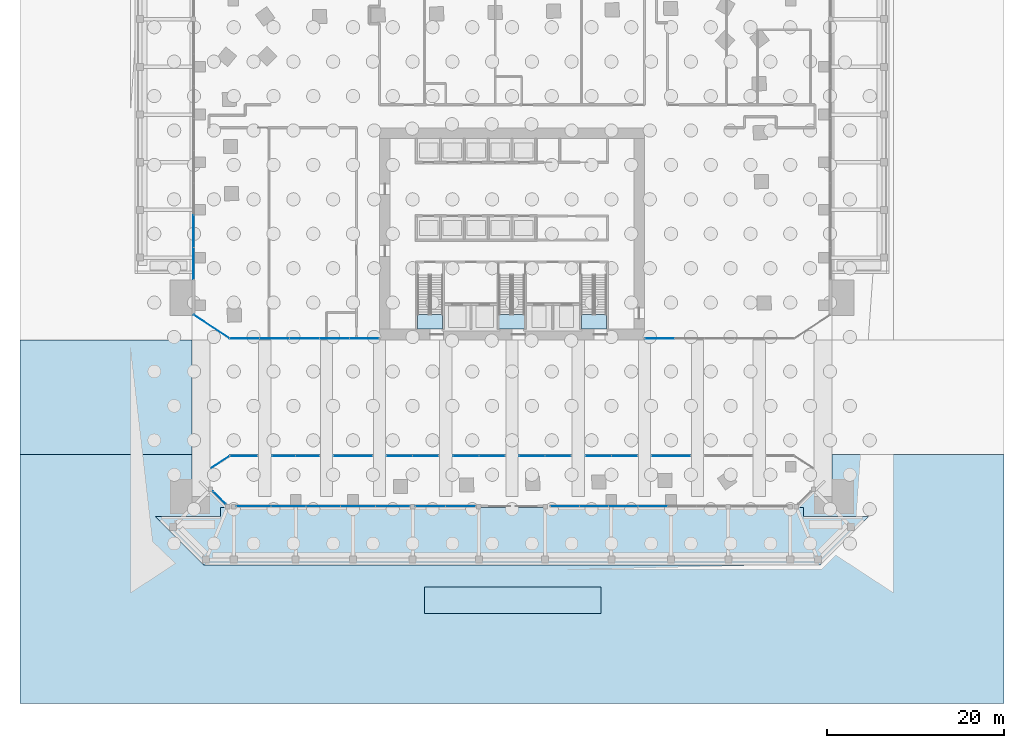
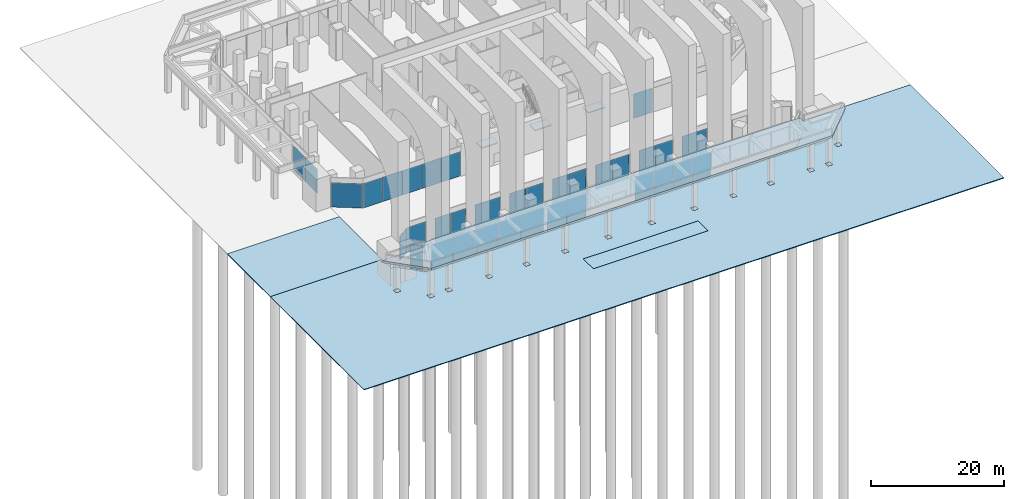
# One storey, part 35 of 46: 35 plates, 7 slabs, 20 elements without a shape of their own.
"""IFC4 building model written with IfcOpenShell, lengths in metres."""

from ifc_helpers import new_model, si_unit, direction, frame, origin, origin_2d, place, context, subcontext, project, spatial, polyline, rectangle, outline, extrude, material, layer, layer_set, type_object, element, aggregate, save


model = new_model("IFC4")

# Units and contexts
model_context = context("Model", 3, precision=1e-05, world=origin(), true_north=direction((0.0, 1.0)))
body_context = subcontext(model_context, "Body", "Model", "MODEL_VIEW")
ifc_project = project(units=[si_unit("LENGTHUNIT", "METRE"), si_unit("AREAUNIT", "SQUARE_METRE"), si_unit("VOLUMEUNIT", "CUBIC_METRE"), si_unit("PLANEANGLEUNIT", "RADIAN"), si_unit("MASSUNIT", "GRAM", prefix="KILO")], contexts=[model_context])

# Site, building, storey
site_placement = place(None, origin())
site = spatial("IfcSite", under=ifc_project, at=site_placement, CompositionType="ELEMENT")
building_placement = place(site_placement, origin())
building = spatial("IfcBuilding", under=site, at=building_placement, Name="Mangrove Gate Tower", CompositionType="ELEMENT")
storey_placement = place(building_placement, origin())
storey = spatial("IfcBuildingStorey", under=building, at=storey_placement, Name="L00", CompositionType="ELEMENT", Elevation=0.0)

# Slab
ifc_material_1 = material(Name="Concrete C40/50", Category="concrete")
ifc_layer_1 = layer(ifc_material_1, 0.419921875)
ifc_layer_set_1 = layer_set([ifc_layer_1], Name="Canopy slab 420 C40/50")
slab_type_1 = type_object("IfcSlabType", Name="Canopy slab 420 C40/50", PredefinedType="ROOF", material=ifc_layer_set_1)
slab_1_placement = place(storey_placement, frame((0.0, 0.0, 5.080078125)))
element("IfcSlab", 1, at=slab_1_placement, inside=storey, type_object=slab_type_1, Name="Canopy slab S", PredefinedType="ROOF", context=body_context, shape_type="SweptSolid", body=[
    extrude(outline(polyline([(33.0, -31.0), (-33.0, -31.0), (-33.0, -32.0), (-40.39208984375, -32.0), (-34.89208984375, -37.5), (34.89208984375, -37.5), (40.39208984375, -32.0), (33.0, -32.0), (33.0, -31.0)])), origin(), (0.0, 0.0, 1.0), 0.419921875),
])

# Stair, slab
ifc_material_2 = material(Name="Concrete C40/50", Category="concrete")
stair_type = type_object("IfcStairType", Name="Core stair 1350", PredefinedType="HALF_TURN_STAIR", material=ifc_material_2)
stair_1_placement = place(storey_placement, origin())
stair_1 = element("IfcStair", 2, at=stair_1_placement, inside=storey, type_object=stair_type, Name="L00 Stair 1", PredefinedType="HALF_TURN_STAIR")
ifc_material_3 = material(Name="Concrete C40/50", Category="concrete")
ifc_layer_2 = layer(ifc_material_3, 0.199951171875)
ifc_layer_set_2 = layer_set([ifc_layer_2], Name="Core stair landing 200")
slab_type_2 = type_object("IfcSlabType", Name="Core stair landing 200", PredefinedType="LANDING", material=ifc_layer_set_2)
slab_2_placement = place(storey_placement, frame((0.0, 0.0, 2.800048828125)))
slab_2 = element("IfcSlab", 3, at=slab_2_placement, type_object=slab_type_2, Name="ST1 landing 1", PredefinedType="LANDING", context=body_context, shape_type="SweptSolid", body=[
    extrude(outline(polyline([(-10.699951171875, -9.1298828125), (-10.699951171875, -10.800048828125), (-7.85009765625, -10.800048828125), (-7.85009765625, -9.1298828125), (-10.699951171875, -9.1298828125)])), origin(), (0.0, 0.0, 1.0), 0.199951171875),
])
aggregate(stair_1, [slab_2])

stair_2_placement = place(storey_placement, origin())
stair_2 = element("IfcStair", 4, at=stair_2_placement, inside=storey, type_object=stair_type, Name="L00 Stair 2", PredefinedType="HALF_TURN_STAIR")
slab_3_placement = place(storey_placement, frame((0.0, 0.0, 2.800048828125)))
slab_3 = element("IfcSlab", 5, at=slab_3_placement, type_object=slab_type_2, Name="ST2 landing 1", PredefinedType="LANDING", context=body_context, shape_type="SweptSolid", body=[
    extrude(outline(polyline([(-1.449951171875, -9.1298828125), (-1.449951171875, -10.800048828125), (1.39990234375, -10.800048828125), (1.39990234375, -9.1298828125), (-1.449951171875, -9.1298828125)])), origin(), (0.0, 0.0, 1.0), 0.199951171875),
])
aggregate(stair_2, [slab_3])

stair_3_placement = place(storey_placement, origin())
stair_3 = element("IfcStair", 6, at=stair_3_placement, inside=storey, type_object=stair_type, Name="L00 Stair 3", PredefinedType="HALF_TURN_STAIR")
slab_4_placement = place(storey_placement, frame((0.0, 0.0, 2.800048828125)))
slab_4 = element("IfcSlab", 7, at=slab_4_placement, type_object=slab_type_2, Name="ST3 landing 1", PredefinedType="LANDING", context=body_context, shape_type="SweptSolid", body=[
    extrude(outline(polyline([(7.85009765625, -9.1298828125), (7.85009765625, -10.800048828125), (10.699951171875, -10.800048828125), (10.699951171875, -9.1298828125), (7.85009765625, -9.1298828125)])), origin(), (0.0, 0.0, 1.0), 0.199951171875),
])
aggregate(stair_3, [slab_4])

# Slabs
ifc_material_4 = material(Name="Asphalt")
ifc_layer_3 = layer(ifc_material_4, 0.0400390625, Name="Wearing course")
ifc_material_5 = material(Name="Asphalt binder")
ifc_layer_4 = layer(ifc_material_5, 0.050048828125, Name="Binder course")
ifc_material_6 = material(Name="Compacted crushed stone", Category="masonry")
ifc_layer_5 = layer(ifc_material_6, 0.06005859375, Name="Sub-base")
ifc_layer_set_3 = layer_set([ifc_layer_3, ifc_layer_4, ifc_layer_5], Name="Drop-off lay-by paving 150")
slab_type_3 = type_object("IfcSlabType", Name="Drop-off lay-by paving 150", PredefinedType="USERDEFINED", material=ifc_layer_set_3)
slab_5_placement = place(storey_placement, frame((0.0, 0.0, -0.14990234375)))
element("IfcSlab", 8, at=slab_5_placement, inside=storey, type_object=slab_type_3, Name="DROP-OFF LAY-BY", ObjectType="DROP-OFF BAY", PredefinedType="USERDEFINED", context=body_context, shape_type="SweptSolid", body=[
    extrude(outline(polyline([(-9.89990234375, -43.0), (10.10009765625, -43.0), (10.10009765625, -40.0), (-9.89990234375, -40.0), (-9.89990234375, -43.0)])), origin(), (0.0, 0.0, 1.0), 0.14990234375),
])
ifc_material_7 = material(Name="Granite", Category="masonry")
ifc_layer_6 = layer(ifc_material_7, 0.06005859375, Name="Granite paving")
ifc_material_8 = material(Name="Bedding sand")
ifc_layer_7 = layer(ifc_material_8, 0.030029296875, Name="Bedding course")
ifc_layer_8 = layer(ifc_material_6, 0.06005859375, Name="Sub-base")
ifc_layer_set_4 = layer_set([ifc_layer_6, ifc_layer_7, ifc_layer_8], Name="Plaza paving 150 granite")
slab_type_4 = type_object("IfcSlabType", Name="Plaza paving 150 granite", PredefinedType="USERDEFINED", material=ifc_layer_set_4)
slab_6_placement = place(storey_placement, frame((0.0, 0.0, -0.14990234375)))
element("IfcSlab", 9, at=slab_6_placement, inside=storey, type_object=slab_type_4, Name="PLAZA PAVING 2", ObjectType="PAVING", PredefinedType="USERDEFINED", context=body_context, shape_type="SweptSolid", body=[
    extrude(outline(polyline([(-36.199951171875, -27.0), (-36.199951171875, -27.0), (-36.199951171875, -27.75), (-35.746826171875, -27.453125), (-32.199951171875, -31.0), (-32.199951171875, -31.0), (32.199951171875, -31.0), (32.199951171875, -31.0), (35.746826171875, -27.453125), (36.199951171875, -27.75), (36.199951171875, -27.0), (36.199951171875, -27.0), (36.199951171875, -25.0), (55.699951171875, -25.0), (55.699951171875, -53.200439453125), (-55.699951171875, -53.200439453125), (-55.699951171875, -25.0), (-36.199951171875, -25.0), (-36.199951171875, -27.0)]), holes=[polyline([(-34.22412109375, -36.47998046875), (-35.06396484375, -36.47998046875), (-35.06396484375, -37.320068359375), (-34.22412109375, -37.320068359375), (-34.22412109375, -36.47998046875)]), polyline([(-31.080078125, -36.47998046875), (-31.919921875, -36.47998046875), (-31.919921875, -37.320068359375), (-31.080078125, -37.320068359375), (-31.080078125, -36.47998046875)]), polyline([(-24.080078125, -36.47998046875), (-24.919921875, -36.47998046875), (-24.919921875, -37.320068359375), (-24.080078125, -37.320068359375), (-24.080078125, -36.47998046875)]), polyline([(-37.951904296875, -33.592041015625), (-37.951904296875, -32.751953125), (-38.7919921875, -32.751953125), (-38.7919921875, -33.592041015625), (-37.951904296875, -33.592041015625)]), polyline([(-17.580078125, -37.320068359375), (-17.580078125, -36.47998046875), (-18.419921875, -36.47998046875), (-18.419921875, -37.320068359375), (-17.580078125, -37.320068359375)]), polyline([(-10.830078125, -36.47998046875), (-11.669921875, -36.47998046875), (-11.669921875, -37.320068359375), (-10.830078125, -37.320068359375), (-10.830078125, -36.47998046875)]), polyline([(-3.330078125, -37.320068359375), (-3.330078125, -36.47998046875), (-4.169921875, -36.47998046875), (-4.169921875, -37.320068359375), (-3.330078125, -37.320068359375)]), polyline([(4.169921875, -37.320068359375), (4.169921875, -36.47998046875), (3.330078125, -36.47998046875), (3.330078125, -37.320068359375), (4.169921875, -37.320068359375)]), polyline([(11.669921875, -36.47998046875), (10.830078125, -36.47998046875), (10.830078125, -37.320068359375), (11.669921875, -37.320068359375), (11.669921875, -36.47998046875)]), polyline([(18.419921875, -37.320068359375), (18.419921875, -36.47998046875), (17.580078125, -36.47998046875), (17.580078125, -37.320068359375), (18.419921875, -37.320068359375)]), polyline([(24.919921875, -36.47998046875), (24.080078125, -36.47998046875), (24.080078125, -37.320068359375), (24.919921875, -37.320068359375), (24.919921875, -36.47998046875)]), polyline([(31.919921875, -37.320068359375), (31.919921875, -36.47998046875), (31.080078125, -36.47998046875), (31.080078125, -37.320068359375), (31.919921875, -37.320068359375)]), polyline([(35.06396484375, -37.320068359375), (35.06396484375, -36.47998046875), (34.22412109375, -36.47998046875), (34.22412109375, -37.320068359375), (35.06396484375, -37.320068359375)]), polyline([(38.7919921875, -32.751953125), (37.951904296875, -32.751953125), (37.951904296875, -33.592041015625), (38.7919921875, -33.592041015625), (38.7919921875, -32.751953125)]), polyline([(10.10009765625, -43.0), (10.10009765625, -40.0), (-9.89990234375, -40.0), (-9.89990234375, -43.0), (10.10009765625, -43.0)])]), origin(), (0.0, 0.0, 1.0), 0.14990234375),
])

# Curtain wall, plate
ifc_material_9 = material(Name="Aluminium and glass curtain wall", Category="aluminium")
curtain_wall_type = type_object("IfcCurtainWallType", Name="Podium shopfront glazing wall", PredefinedType="NOTDEFINED", material=ifc_material_9)
curtain_wall_1_placement = place(storey_placement, origin())
curtain_wall_1 = element("IfcCurtainWall", 10, at=curtain_wall_1_placement, inside=storey, type_object=curtain_wall_type, Name="Podium shopfront glazing N4012s1", PredefinedType="NOTDEFINED")
ifc_material_10 = material(Name="Laminated low-e glass", Category="glass")
ifc_layer_9 = layer(ifc_material_10, 0.02392578125)
ifc_layer_set_5 = layer_set([ifc_layer_9], Name="Podium shopfront glazing panel 24")
plate_type = type_object("IfcPlateType", Name="Podium shopfront glazing panel 24", PredefinedType="CURTAIN_PANEL", material=ifc_layer_set_5)
plate_1_placement = place(storey_placement, frame((18.0, -25.14990234375, 0.0), z_axis=(0.0, 0.0, 1.0), x_axis=(-1.0, 0.0, 0.0)))
plate_1 = element("IfcPlate", 11, at=plate_1_placement, type_object=plate_type, Name="CWS panel 1.1", PredefinedType="CURTAIN_PANEL", context=body_context, shape_type="SweptSolid", body=[
    extrude(rectangle(XDim=4.320068359375, YDim=0.02392578125, at=origin_2d()), origin(), (0.0, 0.0, 1.0), 4.510009765625),
])
aggregate(curtain_wall_1, [plate_1])

# Curtain wall, plates
curtain_wall_2_placement = place(storey_placement, origin())
curtain_wall_2 = element("IfcCurtainWall", 12, at=curtain_wall_2_placement, inside=storey, type_object=curtain_wall_type, Name="Podium shopfront glazing N4013s1", PredefinedType="NOTDEFINED")
plate_2_placement = place(storey_placement, frame((12.719970703125, -25.14990234375, 0.0), z_axis=(0.0, 0.0, 1.0), x_axis=(-1.0, 0.0, 0.0)))
plate_2 = element("IfcPlate", 13, at=plate_2_placement, type_object=plate_type, Name="CWS panel 1.1", PredefinedType="CURTAIN_PANEL", context=body_context, shape_type="SweptSolid", body=[
    extrude(rectangle(XDim=2.8798828125, YDim=0.02392578125, at=origin_2d()), origin(), (0.0, 0.0, 1.0), 4.510009765625),
])
plate_3_placement = place(storey_placement, frame((9.780029296875, -25.14990234375, 0.0), z_axis=(0.0, 0.0, 1.0), x_axis=(-1.0, 0.0, 0.0)))
plate_3 = element("IfcPlate", 14, at=plate_3_placement, type_object=plate_type, Name="CWS panel 2.1", PredefinedType="CURTAIN_PANEL", context=body_context, shape_type="SweptSolid", body=[
    extrude(rectangle(XDim=2.8798828125, YDim=0.02392578125, at=origin_2d()), origin(), (0.0, 0.0, 1.0), 4.510009765625),
])
aggregate(curtain_wall_2, [plate_2, plate_3])

curtain_wall_3_placement = place(storey_placement, origin())
curtain_wall_3 = element("IfcCurtainWall", 15, at=curtain_wall_3_placement, inside=storey, type_object=curtain_wall_type, Name="Podium shopfront glazing N4014s1", PredefinedType="NOTDEFINED")
plate_4_placement = place(storey_placement, frame((5.219970703125, -25.14990234375, 0.0), z_axis=(0.0, 0.0, 1.0), x_axis=(-1.0, 0.0, 0.0)))
plate_4 = element("IfcPlate", 16, at=plate_4_placement, type_object=plate_type, Name="CWS panel 1.1", PredefinedType="CURTAIN_PANEL", context=body_context, shape_type="SweptSolid", body=[
    extrude(rectangle(XDim=2.8798828125, YDim=0.02392578125, at=origin_2d()), origin(), (0.0, 0.0, 1.0), 4.510009765625),
])
plate_5_placement = place(storey_placement, frame((2.280029296875, -25.14990234375, 0.0), z_axis=(0.0, 0.0, 1.0), x_axis=(-1.0, 0.0, 0.0)))
plate_5 = element("IfcPlate", 17, at=plate_5_placement, type_object=plate_type, Name="CWS panel 2.1", PredefinedType="CURTAIN_PANEL", context=body_context, shape_type="SweptSolid", body=[
    extrude(rectangle(XDim=2.8798828125, YDim=0.02392578125, at=origin_2d()), origin(), (0.0, 0.0, 1.0), 4.510009765625),
])
aggregate(curtain_wall_3, [plate_4, plate_5])

curtain_wall_4_placement = place(storey_placement, origin())
curtain_wall_4 = element("IfcCurtainWall", 18, at=curtain_wall_4_placement, inside=storey, type_object=curtain_wall_type, Name="Podium shopfront glazing N4015s1", PredefinedType="NOTDEFINED")
plate_6_placement = place(storey_placement, frame((-2.280029296875, -25.14990234375, 0.0), z_axis=(0.0, 0.0, 1.0), x_axis=(-1.0, 0.0, 0.0)))
plate_6 = element("IfcPlate", 19, at=plate_6_placement, type_object=plate_type, Name="CWS panel 1.1", PredefinedType="CURTAIN_PANEL", context=body_context, shape_type="SweptSolid", body=[
    extrude(rectangle(XDim=2.8798828125, YDim=0.02392578125, at=origin_2d()), origin(), (0.0, 0.0, 1.0), 4.510009765625),
])
plate_7_placement = place(storey_placement, frame((-5.219970703125, -25.14990234375, 0.0), z_axis=(0.0, 0.0, 1.0), x_axis=(-1.0, 0.0, 0.0)))
plate_7 = element("IfcPlate", 20, at=plate_7_placement, type_object=plate_type, Name="CWS panel 2.1", PredefinedType="CURTAIN_PANEL", context=body_context, shape_type="SweptSolid", body=[
    extrude(rectangle(XDim=2.8798828125, YDim=0.02392578125, at=origin_2d()), origin(), (0.0, 0.0, 1.0), 4.510009765625),
])
aggregate(curtain_wall_4, [plate_6, plate_7])

curtain_wall_5_placement = place(storey_placement, origin())
curtain_wall_5 = element("IfcCurtainWall", 21, at=curtain_wall_5_placement, inside=storey, type_object=curtain_wall_type, Name="Podium shopfront glazing N4016s1", PredefinedType="NOTDEFINED")
plate_8_placement = place(storey_placement, frame((-9.780029296875, -25.14990234375, 0.0), z_axis=(0.0, 0.0, 1.0), x_axis=(-1.0, 0.0, 0.0)))
plate_8 = element("IfcPlate", 22, at=plate_8_placement, type_object=plate_type, Name="CWS panel 1.1", PredefinedType="CURTAIN_PANEL", context=body_context, shape_type="SweptSolid", body=[
    extrude(rectangle(XDim=2.8798828125, YDim=0.02392578125, at=origin_2d()), origin(), (0.0, 0.0, 1.0), 4.510009765625),
])
plate_9_placement = place(storey_placement, frame((-12.719970703125, -25.14990234375, 0.0), z_axis=(0.0, 0.0, 1.0), x_axis=(-1.0, 0.0, 0.0)))
plate_9 = element("IfcPlate", 23, at=plate_9_placement, type_object=plate_type, Name="CWS panel 2.1", PredefinedType="CURTAIN_PANEL", context=body_context, shape_type="SweptSolid", body=[
    extrude(rectangle(XDim=2.8798828125, YDim=0.02392578125, at=origin_2d()), origin(), (0.0, 0.0, 1.0), 4.510009765625),
])
aggregate(curtain_wall_5, [plate_8, plate_9])

# Curtain wall, plate
curtain_wall_6_placement = place(storey_placement, origin())
curtain_wall_6 = element("IfcCurtainWall", 24, at=curtain_wall_6_placement, inside=storey, type_object=curtain_wall_type, Name="Podium shopfront glazing N4017s1", PredefinedType="NOTDEFINED")
plate_10_placement = place(storey_placement, frame((-18.0, -25.14990234375, 0.0), z_axis=(0.0, 0.0, 1.0), x_axis=(-1.0, 0.0, 0.0)))
plate_10 = element("IfcPlate", 25, at=plate_10_placement, type_object=plate_type, Name="CWS panel 1.1", PredefinedType="CURTAIN_PANEL", context=body_context, shape_type="SweptSolid", body=[
    extrude(rectangle(XDim=4.320068359375, YDim=0.02392578125, at=origin_2d()), origin(), (0.0, 0.0, 1.0), 4.510009765625),
])
aggregate(curtain_wall_6, [plate_10])

# Curtain wall, plates
curtain_wall_7_placement = place(storey_placement, origin())
curtain_wall_7 = element("IfcCurtainWall", 26, at=curtain_wall_7_placement, inside=storey, type_object=curtain_wall_type, Name="Podium shopfront glazing N4018s1", PredefinedType="NOTDEFINED")
plate_11_placement = place(storey_placement, frame((-23.155029296875, -25.14990234375, 0.0), z_axis=(0.0, 0.0, 1.0), x_axis=(-1.0, 0.0, 0.0)))
plate_11 = element("IfcPlate", 27, at=plate_11_placement, type_object=plate_type, Name="CWS panel 1.1", PredefinedType="CURTAIN_PANEL", context=body_context, shape_type="SweptSolid", body=[
    extrude(rectangle(XDim=2.6298828125, YDim=0.02392578125, at=origin_2d()), origin(), (0.0, 0.0, 1.0), 4.510009765625),
])
plate_12_placement = place(storey_placement, frame((-25.844970703125, -25.14990234375, 0.0), z_axis=(0.0, 0.0, 1.0), x_axis=(-1.0, 0.0, 0.0)))
plate_12 = element("IfcPlate", 28, at=plate_12_placement, type_object=plate_type, Name="CWS panel 2.1", PredefinedType="CURTAIN_PANEL", context=body_context, shape_type="SweptSolid", body=[
    extrude(rectangle(XDim=2.6298828125, YDim=0.02392578125, at=origin_2d()), origin(), (0.0, 0.0, 1.0), 4.510009765625),
])
aggregate(curtain_wall_7, [plate_11, plate_12])

# Curtain wall, plate
curtain_wall_8_placement = place(storey_placement, origin())
curtain_wall_8 = element("IfcCurtainWall", 29, at=curtain_wall_8_placement, inside=storey, type_object=curtain_wall_type, Name="Podium shopfront glazing N4019s1", PredefinedType="NOTDEFINED")
plate_13_placement = place(storey_placement, frame((-30.36767578125, -25.14990234375, 0.0), z_axis=(0.0, 0.0, 1.0), x_axis=(-1.0, 0.0, 0.0)))
plate_13 = element("IfcPlate", 30, at=plate_13_placement, type_object=plate_type, Name="CWS panel 1.1", PredefinedType="CURTAIN_PANEL", context=body_context, shape_type="SweptSolid", body=[
    extrude(rectangle(XDim=3.05517578125, YDim=0.02392578125, at=origin_2d()), origin(), (0.0, 0.0, 1.0), 4.510009765625),
])
aggregate(curtain_wall_8, [plate_13])

curtain_wall_9_placement = place(storey_placement, origin())
curtain_wall_9 = element("IfcCurtainWall", 31, at=curtain_wall_9_placement, inside=storey, type_object=curtain_wall_type, Name="Podium shopfront glazing N2s1", PredefinedType="NOTDEFINED")
plate_14_placement = place(storey_placement, frame((-33.03759765625, -25.858642578125, 0.0), z_axis=(0.0, 0.0, 1.0), x_axis=(-0.836658727453, -0.547724541879, 0.0)))
plate_14 = element("IfcPlate", 32, at=plate_14_placement, type_object=plate_type, Name="CWS panel 1.1", PredefinedType="CURTAIN_PANEL", context=body_context, shape_type="SweptSolid", body=[
    extrude(rectangle(XDim=2.46728515625, YDim=0.02392578125, at=origin_2d()), origin(), (0.0, 0.0, 1.0), 4.510009765625),
])
aggregate(curtain_wall_9, [plate_14])

curtain_wall_10_placement = place(storey_placement, origin())
curtain_wall_10 = element("IfcCurtainWall", 33, at=curtain_wall_10_placement, inside=storey, type_object=curtain_wall_type, Name="Podium shopfront glazing W3s1", PredefinedType="NOTDEFINED")
plate_15_placement = place(storey_placement, frame((-33.104736328125, -29.883056640625, 0.0), z_axis=(0.0, 0.0, 1.0), x_axis=(0.707106781187, -0.707106781187, 0.0)))
plate_15 = element("IfcPlate", 34, at=plate_15_placement, type_object=plate_type, Name="CWS panel 1.1", PredefinedType="CURTAIN_PANEL", context=body_context, shape_type="SweptSolid", body=[
    extrude(rectangle(XDim=1.98583984375, YDim=0.02392578125, at=origin_2d()), origin(), (0.0, 0.0, 1.0), 4.510009765625),
])
aggregate(curtain_wall_10, [plate_15])

# Curtain wall, plates
curtain_wall_11_placement = place(storey_placement, origin())
curtain_wall_11 = element("IfcCurtainWall", 35, at=curtain_wall_11_placement, inside=storey, type_object=curtain_wall_type, Name="Podium shopfront glazing S4s1", PredefinedType="NOTDEFINED")
plate_16_placement = place(storey_placement, frame((-29.236083984375, -30.85009765625, 0.0), z_axis=(0.0, 0.0, 1.0), x_axis=(1.0, 0.0, 0.0)))
plate_16 = element("IfcPlate", 36, at=plate_16_placement, type_object=plate_type, Name="CWS panel 1.1", PredefinedType="CURTAIN_PANEL", context=body_context, shape_type="SweptSolid", body=[
    extrude(rectangle(XDim=3.847900390625, YDim=0.02392578125, at=origin_2d()), origin(), (0.0, 0.0, 1.0), 4.510009765625),
])
plate_17_placement = place(storey_placement, frame((-25.31298828125, -30.85009765625, 0.0), z_axis=(0.0, 0.0, 1.0), x_axis=(1.0, 0.0, 0.0)))
plate_17 = element("IfcPlate", 37, at=plate_17_placement, type_object=plate_type, Name="CWS panel 2.1", PredefinedType="CURTAIN_PANEL", context=body_context, shape_type="SweptSolid", body=[
    extrude(rectangle(XDim=3.8779296875, YDim=0.02392578125, at=origin_2d()), origin(), (0.0, 0.0, 1.0), 4.510009765625),
])
plate_18_placement = place(storey_placement, frame((-21.375, -30.85009765625, 0.0), z_axis=(0.0, 0.0, 1.0), x_axis=(1.0, 0.0, 0.0)))
plate_18 = element("IfcPlate", 38, at=plate_18_placement, type_object=plate_type, Name="CWS panel 3.1", PredefinedType="CURTAIN_PANEL", context=body_context, shape_type="SweptSolid", body=[
    extrude(rectangle(XDim=3.8779296875, YDim=0.02392578125, at=origin_2d()), origin(), (0.0, 0.0, 1.0), 4.510009765625),
])
plate_19_placement = place(storey_placement, frame((-17.43701171875, -30.85009765625, 0.0), z_axis=(0.0, 0.0, 1.0), x_axis=(1.0, 0.0, 0.0)))
plate_19 = element("IfcPlate", 39, at=plate_19_placement, type_object=plate_type, Name="CWS panel 4.1", PredefinedType="CURTAIN_PANEL", context=body_context, shape_type="SweptSolid", body=[
    extrude(rectangle(XDim=3.8779296875, YDim=0.02392578125, at=origin_2d()), origin(), (0.0, 0.0, 1.0), 4.510009765625),
])
plate_20_placement = place(storey_placement, frame((-13.513916015625, -30.85009765625, 0.0), z_axis=(0.0, 0.0, 1.0), x_axis=(1.0, 0.0, 0.0)))
plate_20 = element("IfcPlate", 40, at=plate_20_placement, type_object=plate_type, Name="CWS panel 5.1", PredefinedType="CURTAIN_PANEL", context=body_context, shape_type="SweptSolid", body=[
    extrude(rectangle(XDim=3.847900390625, YDim=0.02392578125, at=origin_2d()), origin(), (0.0, 0.0, 1.0), 4.510009765625),
])
aggregate(curtain_wall_11, [plate_16, plate_17, plate_18, plate_19, plate_20])

curtain_wall_12_placement = place(storey_placement, origin())
curtain_wall_12 = element("IfcCurtainWall", 41, at=curtain_wall_12_placement, inside=storey, type_object=curtain_wall_type, Name="Podium shopfront glazing S4s2", PredefinedType="NOTDEFINED")
plate_21_placement = place(storey_placement, frame((-9.237548828125, -30.85009765625, 0.0), z_axis=(0.0, 0.0, 1.0), x_axis=(1.0, 0.0, 0.0)))
plate_21 = element("IfcPlate", 42, at=plate_21_placement, type_object=plate_type, Name="CWS panel 1.1", PredefinedType="CURTAIN_PANEL", context=body_context, shape_type="SweptSolid", body=[
    extrude(rectangle(XDim=3.344970703125, YDim=0.02392578125, at=origin_2d()), origin(), (0.0, 0.0, 1.0), 4.510009765625),
])
plate_22_placement = place(storey_placement, frame((-5.83251953125, -30.85009765625, 0.0), z_axis=(0.0, 0.0, 1.0), x_axis=(1.0, 0.0, 0.0)))
plate_22 = element("IfcPlate", 43, at=plate_22_placement, type_object=plate_type, Name="CWS panel 2.1", PredefinedType="CURTAIN_PANEL", context=body_context, shape_type="SweptSolid", body=[
    extrude(rectangle(XDim=3.344970703125, YDim=0.02392578125, at=origin_2d()), origin(), (0.0, 0.0, 1.0), 4.510009765625),
])
aggregate(curtain_wall_12, [plate_21, plate_22])

curtain_wall_13_placement = place(storey_placement, origin())
curtain_wall_13 = element("IfcCurtainWall", 44, at=curtain_wall_13_placement, inside=storey, type_object=curtain_wall_type, Name="Podium shopfront glazing S4s3", PredefinedType="NOTDEFINED")
plate_23_placement = place(storey_placement, frame((5.97509765625, -30.85009765625, 0.0), z_axis=(0.0, 0.0, 1.0), x_axis=(1.0, 0.0, 0.0)))
plate_23 = element("IfcPlate", 45, at=plate_23_placement, type_object=plate_type, Name="CWS panel 1.1", PredefinedType="CURTAIN_PANEL", context=body_context, shape_type="SweptSolid", body=[
    extrude(rectangle(XDim=3.22998046875, YDim=0.02392578125, at=origin_2d()), origin(), (0.0, 0.0, 1.0), 4.510009765625),
])
plate_24_placement = place(storey_placement, frame((9.280029296875, -30.85009765625, 0.0), z_axis=(0.0, 0.0, 1.0), x_axis=(1.0, 0.0, 0.0)))
plate_24 = element("IfcPlate", 46, at=plate_24_placement, type_object=plate_type, Name="CWS panel 2.1", PredefinedType="CURTAIN_PANEL", context=body_context, shape_type="SweptSolid", body=[
    extrude(rectangle(XDim=3.260009765625, YDim=0.02392578125, at=origin_2d()), origin(), (0.0, 0.0, 1.0), 4.510009765625),
])
plate_25_placement = place(storey_placement, frame((12.60009765625, -30.85009765625, 0.0), z_axis=(0.0, 0.0, 1.0), x_axis=(1.0, 0.0, 0.0)))
plate_25 = element("IfcPlate", 47, at=plate_25_placement, type_object=plate_type, Name="CWS panel 3.1", PredefinedType="CURTAIN_PANEL", context=body_context, shape_type="SweptSolid", body=[
    extrude(rectangle(XDim=3.260009765625, YDim=0.02392578125, at=origin_2d()), origin(), (0.0, 0.0, 1.0), 4.510009765625),
])
plate_26_placement = place(storey_placement, frame((15.919921875, -30.85009765625, 0.0), z_axis=(0.0, 0.0, 1.0), x_axis=(1.0, 0.0, 0.0)))
plate_26 = element("IfcPlate", 48, at=plate_26_placement, type_object=plate_type, Name="CWS panel 4.1", PredefinedType="CURTAIN_PANEL", context=body_context, shape_type="SweptSolid", body=[
    extrude(rectangle(XDim=3.260009765625, YDim=0.02392578125, at=origin_2d()), origin(), (0.0, 0.0, 1.0), 4.510009765625),
])
aggregate(curtain_wall_13, [plate_23, plate_24, plate_25, plate_26])

# Curtain wall, plate
curtain_wall_14_placement = place(storey_placement, origin())
curtain_wall_14 = element("IfcCurtainWall", 49, at=curtain_wall_14_placement, inside=storey, type_object=curtain_wall_type, Name="Podium shopfront glazing S6s1", PredefinedType="NOTDEFINED")
plate_27_placement = place(storey_placement, frame((-34.002685546875, -10.509521484375, 0.0), z_axis=(0.0, 0.0, 1.0), x_axis=(0.836618528559, -0.54778594147, 0.0)))
plate_27 = element("IfcPlate", 50, at=plate_27_placement, type_object=plate_type, Name="CWS panel 1.1", PredefinedType="CURTAIN_PANEL", context=body_context, shape_type="SweptSolid", body=[
    extrude(rectangle(XDim=4.7744140625, YDim=0.02392578125, at=origin_2d()), origin(), (0.0, 0.0, 1.0), 4.510009765625),
])
aggregate(curtain_wall_14, [plate_27])

# Curtain wall, plates
curtain_wall_15_placement = place(storey_placement, origin())
curtain_wall_15 = element("IfcCurtainWall", 51, at=curtain_wall_15_placement, inside=storey, type_object=curtain_wall_type, Name="Podium shopfront glazing S7s1", PredefinedType="NOTDEFINED")
plate_28_placement = place(storey_placement, frame((-30.284912109375, -11.85009765625, 0.0), z_axis=(0.0, 0.0, 1.0), x_axis=(1.0, 0.0, 0.0)))
plate_28 = element("IfcPlate", 52, at=plate_28_placement, type_object=plate_type, Name="CWS panel 1.1", PredefinedType="CURTAIN_PANEL", context=body_context, shape_type="SweptSolid", body=[
    extrude(rectangle(XDim=3.31005859375, YDim=0.02392578125, at=origin_2d()), origin(), (0.0, 0.0, 1.0), 4.510009765625),
])
plate_29_placement = place(storey_placement, frame((-26.89990234375, -11.85009765625, 0.0), z_axis=(0.0, 0.0, 1.0), x_axis=(1.0, 0.0, 0.0)))
plate_29 = element("IfcPlate", 53, at=plate_29_placement, type_object=plate_type, Name="CWS panel 2.1", PredefinedType="CURTAIN_PANEL", context=body_context, shape_type="SweptSolid", body=[
    extrude(rectangle(XDim=3.340087890625, YDim=0.02392578125, at=origin_2d()), origin(), (0.0, 0.0, 1.0), 4.510009765625),
])
plate_30_placement = place(storey_placement, frame((-23.5, -11.85009765625, 0.0), z_axis=(0.0, 0.0, 1.0), x_axis=(1.0, 0.0, 0.0)))
plate_30 = element("IfcPlate", 54, at=plate_30_placement, type_object=plate_type, Name="CWS panel 3.1", PredefinedType="CURTAIN_PANEL", context=body_context, shape_type="SweptSolid", body=[
    extrude(rectangle(XDim=3.340087890625, YDim=0.02392578125, at=origin_2d()), origin(), (0.0, 0.0, 1.0), 4.510009765625),
])
plate_31_placement = place(storey_placement, frame((-20.10009765625, -11.85009765625, 0.0), z_axis=(0.0, 0.0, 1.0), x_axis=(1.0, 0.0, 0.0)))
plate_31 = element("IfcPlate", 55, at=plate_31_placement, type_object=plate_type, Name="CWS panel 4.1", PredefinedType="CURTAIN_PANEL", context=body_context, shape_type="SweptSolid", body=[
    extrude(rectangle(XDim=3.340087890625, YDim=0.02392578125, at=origin_2d()), origin(), (0.0, 0.0, 1.0), 4.510009765625),
])
plate_32_placement = place(storey_placement, frame((-16.715087890625, -11.85009765625, 0.0), z_axis=(0.0, 0.0, 1.0), x_axis=(1.0, 0.0, 0.0)))
plate_32 = element("IfcPlate", 56, at=plate_32_placement, type_object=plate_type, Name="CWS panel 5.1", PredefinedType="CURTAIN_PANEL", context=body_context, shape_type="SweptSolid", body=[
    extrude(rectangle(XDim=3.31005859375, YDim=0.02392578125, at=origin_2d()), origin(), (0.0, 0.0, 1.0), 4.510009765625),
])
aggregate(curtain_wall_15, [plate_28, plate_29, plate_30, plate_31, plate_32])

# Curtain wall, plate
curtain_wall_16_placement = place(storey_placement, origin())
curtain_wall_16 = element("IfcCurtainWall", 57, at=curtain_wall_16_placement, inside=storey, type_object=curtain_wall_type, Name="Podium shopfront glazing S8s1", PredefinedType="NOTDEFINED")
plate_33_placement = place(storey_placement, frame((16.715087890625, -11.85009765625, 0.0), z_axis=(0.0, 0.0, 1.0), x_axis=(1.0, 0.0, 0.0)))
plate_33 = element("IfcPlate", 58, at=plate_33_placement, type_object=plate_type, Name="CWS panel 1.1", PredefinedType="CURTAIN_PANEL", context=body_context, shape_type="SweptSolid", body=[
    extrude(rectangle(XDim=3.31005859375, YDim=0.02392578125, at=origin_2d()), origin(), (0.0, 0.0, 1.0), 4.510009765625),
])
aggregate(curtain_wall_16, [plate_33])

# Curtain wall, plates
curtain_wall_17_placement = place(storey_placement, origin())
curtain_wall_17 = element("IfcCurtainWall", 59, at=curtain_wall_17_placement, inside=storey, type_object=curtain_wall_type, Name="Podium shopfront glazing W14s2", PredefinedType="NOTDEFINED")
plate_34_placement = place(storey_placement, frame((-36.050048828125, 0.291259765625, 0.0), z_axis=(0.0, 0.0, 1.0), x_axis=(0.0, -1.0, 0.0)))
plate_34 = element("IfcPlate", 60, at=plate_34_placement, type_object=plate_type, Name="CWS panel 7.1", PredefinedType="CURTAIN_PANEL", context=body_context, shape_type="SweptSolid", body=[
    extrude(rectangle(XDim=3.590576171875, YDim=0.02392578125, at=origin_2d()), origin(), (0.0, 0.0, 1.0), 4.510009765625),
])
plate_35_placement = place(storey_placement, frame((-36.050048828125, -3.344482421875, 0.0), z_axis=(0.0, 0.0, 1.0), x_axis=(0.0, -1.0, 0.0)))
plate_35 = element("IfcPlate", 61, at=plate_35_placement, type_object=plate_type, Name="CWS panel 8.1", PredefinedType="CURTAIN_PANEL", context=body_context, shape_type="SweptSolid", body=[
    extrude(rectangle(XDim=3.560546875, YDim=0.02392578125, at=origin_2d()), origin(), (0.0, 0.0, 1.0), 4.510009765625),
])
aggregate(curtain_wall_17, [plate_34, plate_35])

# Slab
ifc_layer_10 = layer(ifc_material_4, 0.0400390625, Name="Wearing course")
ifc_layer_11 = layer(ifc_material_5, 0.050048828125, Name="Binder course")
ifc_layer_12 = layer(ifc_material_6, 0.06005859375, Name="Sub-base")
ifc_layer_set_6 = layer_set([ifc_layer_10, ifc_layer_11, ifc_layer_12], Name="Street paving 150 asphalt")
slab_type_5 = type_object("IfcSlabType", Name="Street paving 150 asphalt", PredefinedType="USERDEFINED", material=ifc_layer_set_6)
slab_7_placement = place(storey_placement, frame((0.0, 0.0, -0.14990234375)))
element("IfcSlab", 62, at=slab_7_placement, inside=storey, type_object=slab_type_5, Name="STREET PAVING W", ObjectType="PAVING", PredefinedType="USERDEFINED", context=body_context, shape_type="SweptSolid", body=[
    extrude(outline(polyline([(-55.699951171875, -12.0), (-36.199951171875, -12.0), (-36.199951171875, -25.0), (-55.699951171875, -25.0), (-55.699951171875, -12.0)])), origin(), (0.0, 0.0, 1.0), 0.14990234375),
])

save(model, "model.ifc")
